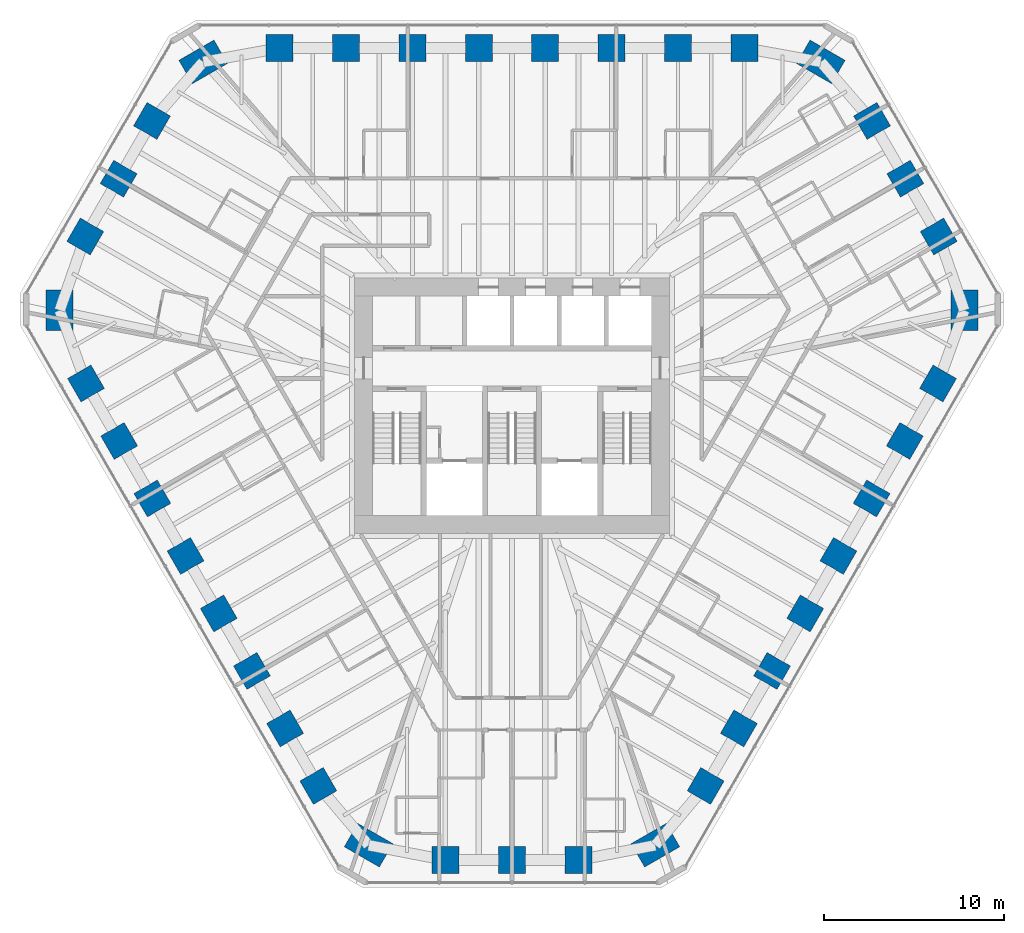
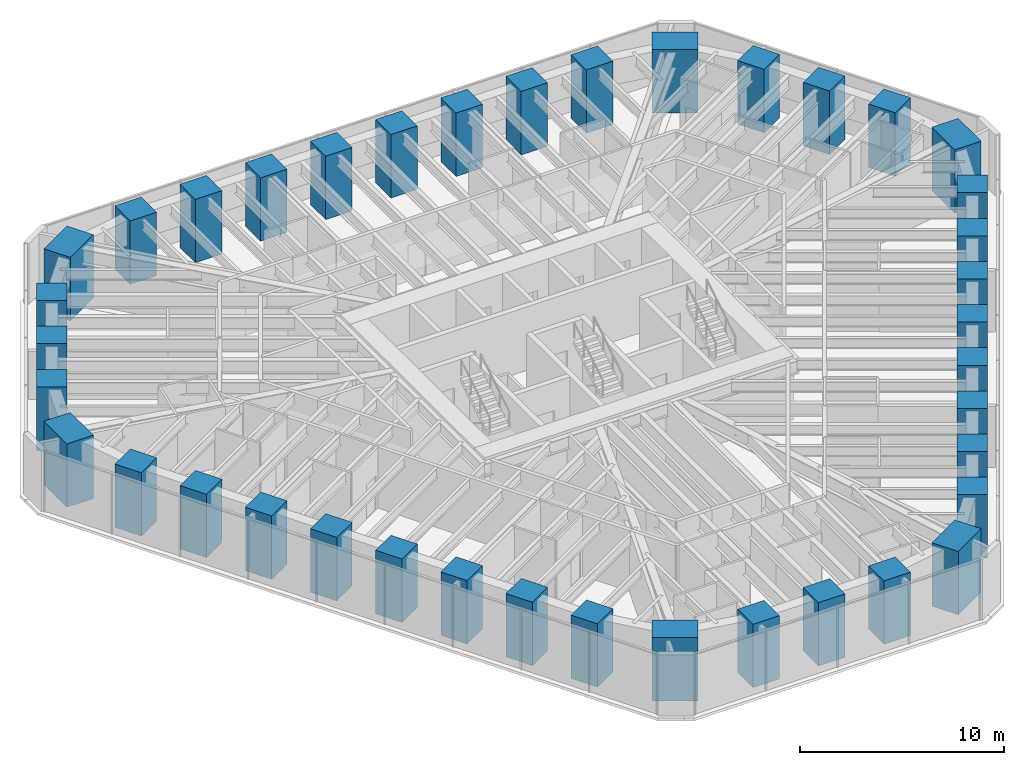
# One storey, part 1 of 17: 39 columns.
"""IFC4 building model written with IfcOpenShell, lengths in metres."""

from ifc_helpers import new_model, si_unit, direction, frame, origin, origin_2d, place, context, subcontext, project, spatial, rectangle, extrude, material, material_profile, profile_set, type_object, element, save


model = new_model("IFC4")

# Units and contexts
model_context = context("Model", 3, precision=1e-05, world=origin(), true_north=direction((0.0, 1.0)))
body_context = subcontext(model_context, "Body", "Model", "MODEL_VIEW")
ifc_project = project(units=[si_unit("LENGTHUNIT", "METRE"), si_unit("AREAUNIT", "SQUARE_METRE"), si_unit("VOLUMEUNIT", "CUBIC_METRE"), si_unit("PLANEANGLEUNIT", "RADIAN"), si_unit("MASSUNIT", "GRAM", prefix="KILO")], contexts=[model_context])

# Site, building, storey
site_placement = place(None, origin())
site = spatial("IfcSite", under=ifc_project, at=site_placement, CompositionType="ELEMENT")
building_placement = place(site_placement, origin())
building = spatial("IfcBuilding", under=site, at=building_placement, Name="Sandreach Pilgrim Tower", CompositionType="ELEMENT")
storey_placement = place(building_placement, frame((0.0, 0.0, 213.60009765625)))
storey = spatial("IfcBuildingStorey", under=building, at=storey_placement, Name="L53", CompositionType="ELEMENT", Elevation=213.60009765625)

# Columns
ifc_material_1 = material(Name="Concrete 10000 psi", Category="concrete")
ifc_material_profile_1 = material_profile(ifc_material_1, rectangle(XDim=1.5, YDim=1.5, at=origin_2d()), Name="RC1500X1500")
ifc_profile_set_1 = profile_set([ifc_material_profile_1], Name="Concrete 10000 psi")
column_type_1 = type_object("IfcColumnType", Name="Tube column RC1500X1500", PredefinedType="COLUMN", material=ifc_profile_set_1)
for number, where, z_axis, x_axis, name in (
    (1, (-12.923828125, 19.900146484375, 0.0), (0.0, 0.0, 1.0), (0.0, 1.0, 0.0), "COL L53 T01"),
    (2, (-9.231201171875, 19.900146484375, 0.0), (0.0, 0.0, 1.0), (0.0, 1.0, 0.0), "COL L53 T02"),
    (3, (-5.538818359375, 19.900146484375, 0.0), (0.0, 0.0, 1.0), (0.0, 1.0, 0.0), "COL L53 T03"),
    (4, (-1.84619140625, 19.900146484375, 0.0), (0.0, 0.0, 1.0), (0.0, 1.0, 0.0), "COL L53 T04"),
    (5, (1.84619140625, 19.900146484375, 0.0), (0.0, 0.0, 1.0), (0.0, 1.0, 0.0), "COL L53 T05"),
    (6, (5.538818359375, 19.900146484375, 0.0), (0.0, 0.0, 1.0), (0.0, 1.0, 0.0), "COL L53 T06"),
    (7, (9.231201171875, 19.900146484375, 0.0), (0.0, 0.0, 1.0), (0.0, 1.0, 0.0), "COL L53 T07"),
    (8, (12.923828125, 19.900146484375, 0.0), (0.0, 0.0, 1.0), (0.0, 1.0, 0.0), "COL L53 T08"),
    (9, (20.025146484375, 15.845947265625, 0.0), (0.0, 0.0, 1.0), (0.866025403784, 0.5, 0.0), "COL L53 T10"),
    (10, (21.88037109375, 12.632568359375, 0.0), (0.0, 0.0, 1.0), (0.866025403784, 0.5, 0.0), "COL L53 T11"),
    (11, (23.7353515625, 9.419189453125, 0.0), (0.0, 0.0, 1.0), (0.866025403784, 0.5, 0.0), "COL L53 T12"),
    (12, (23.69580078125, 1.2421875, 0.0), (0.0, 0.0, 1.0), (0.866025403784, -0.5, 0.0), "COL L53 T14"),
    (13, (21.849609375, -1.95556640625, 0.0), (0.0, 0.0, 1.0), (0.866025403784, -0.5, 0.0), "COL L53 T15"),
    (14, (20.00341796875, -5.1533203125, 0.0), (0.0, 0.0, 1.0), (0.866025403784, -0.5, 0.0), "COL L53 T16"),
    (15, (18.1572265625, -8.35107421875, 0.0), (0.0, 0.0, 1.0), (0.866025403784, -0.5, 0.0), "COL L53 T17"),
    (16, (16.310791015625, -11.548828125, 0.0), (0.0, 0.0, 1.0), (0.866025403784, -0.5, 0.0), "COL L53 T18"),
    (17, (14.464599609375, -14.746826171875, 0.0), (0.0, 0.0, 1.0), (0.866025403784, -0.5, 0.0), "COL L53 T19"),
    (18, (12.618408203125, -17.944580078125, 0.0), (0.0, 0.0, 1.0), (0.866025403784, -0.5, 0.0), "COL L53 T20"),
    (19, (10.772216796875, -21.142333984375, 0.0), (0.0, 0.0, 1.0), (0.866025403784, -0.5, 0.0), "COL L53 T21"),
    (20, (3.71044921875, -25.26513671875, 0.0), (0.0, 0.0, 1.0), (0.0, -1.0, 0.0), "COL L53 T23"),
    (21, (0.0, -25.26513671875, 0.0), (0.0, 0.0, 1.0), (0.0, -1.0, 0.0), "COL L53 T24"),
    (22, (-3.71044921875, -25.26513671875, 0.0), (0.0, 0.0, 1.0), (0.0, -1.0, 0.0), "COL L53 T25"),
    (23, (-10.772216796875, -21.142333984375, 0.0), (0.0, 0.0, 1.0), (-0.866025403784, -0.5, 0.0), "COL L53 T27"),
    (24, (-12.618408203125, -17.944580078125, 0.0), (0.0, 0.0, 1.0), (-0.866025403784, -0.5, 0.0), "COL L53 T28"),
    (25, (-14.464599609375, -14.746826171875, 0.0), (0.0, 0.0, 1.0), (-0.866025403784, -0.5, 0.0), "COL L53 T29"),
    (26, (-16.310791015625, -11.548828125, 0.0), (0.0, 0.0, 1.0), (-0.866025403784, -0.5, 0.0), "COL L53 T30"),
    (27, (-18.1572265625, -8.35107421875, 0.0), (0.0, 0.0, 1.0), (-0.866025403784, -0.5, 0.0), "COL L53 T31"),
    (28, (-20.00341796875, -5.1533203125, 0.0), (0.0, 0.0, 1.0), (-0.866025403784, -0.5, 0.0), "COL L53 T32"),
    (29, (-21.849609375, -1.95556640625, 0.0), (0.0, 0.0, 1.0), (-0.866025403784, -0.5, 0.0), "COL L53 T33"),
    (30, (-23.69580078125, 1.2421875, 0.0), (0.0, 0.0, 1.0), (-0.866025403784, -0.5, 0.0), "COL L53 T34"),
    (31, (-23.7353515625, 9.419189453125, 0.0), (0.0, 0.0, 1.0), (-0.866025403784, 0.5, 0.0), "COL L53 T36"),
    (32, (-21.88037109375, 12.632568359375, 0.0), (0.0, 0.0, 1.0), (-0.866025403784, 0.5, 0.0), "COL L53 T37"),
    (33, (-20.025146484375, 15.845947265625, 0.0), (0.0, 0.0, 1.0), (-0.866025403784, 0.5, 0.0), "COL L53 T38"),
):
    element("IfcColumn", number, at=place(storey_placement, frame(where, z_axis=z_axis, x_axis=x_axis)), inside=storey, type_object=column_type_1, Name=name, PredefinedType="COLUMN", context=body_context, shape_type="SweptSolid", body=[
        extrude(rectangle(XDim=1.5, YDim=1.5, at=origin_2d()), origin(), (0.0, 0.0, 1.0), 3.7998046875),
    ])
ifc_material_2 = material(Name="Concrete 10000 psi", Category="concrete")
ifc_material_profile_2 = material_profile(ifc_material_2, rectangle(XDim=1.5, YDim=2.25, at=origin_2d()), Name="RC1500X2250")
ifc_profile_set_2 = profile_set([ifc_material_profile_2], Name="Concrete 10000 psi")
column_type_2 = type_object("IfcColumnType", Name="Tube corner pier RC1500X2250", PredefinedType="COLUMN", material=ifc_profile_set_2)
for number, where, z_axis, x_axis, name in (
    (34, (17.177978515625, 19.130615234375, 0.0), (0.0, 0.0, 1.0), (0.5, 0.866025403784, 0.0), "COL L53 T09"),
    (35, (25.156494140625, 5.311279296875, 0.0), (0.0, 0.0, 1.0), (1.0, 0.0, 0.0), "COL L53 T13"),
    (36, (7.978515625, -24.44189453125, 0.0), (0.0, 0.0, 1.0), (0.5, -0.866025403784, 0.0), "COL L53 T22"),
    (37, (-7.978515625, -24.44189453125, 0.0), (0.0, 0.0, 1.0), (-0.5, -0.866025403784, 0.0), "COL L53 T26"),
    (38, (-25.156494140625, 5.311279296875, 0.0), (0.0, 0.0, 1.0), (-1.0, 0.0, 0.0), "COL L53 T35"),
    (39, (-17.177978515625, 19.130615234375, 0.0), (0.0, 0.0, 1.0), (-0.5, 0.866025403784, 0.0), "COL L53 T39"),
):
    element("IfcColumn", number, at=place(storey_placement, frame(where, z_axis=z_axis, x_axis=x_axis)), inside=storey, type_object=column_type_2, Name=name, PredefinedType="COLUMN", context=body_context, shape_type="SweptSolid", body=[
        extrude(rectangle(XDim=1.5, YDim=2.25, at=origin_2d()), origin(), (0.0, 0.0, 1.0), 3.7998046875),
    ])

save(model, "model.ifc")
